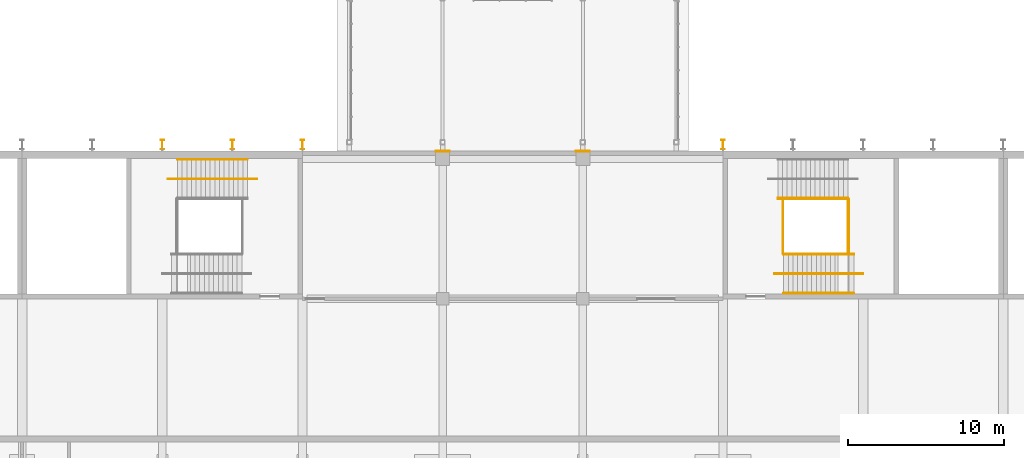
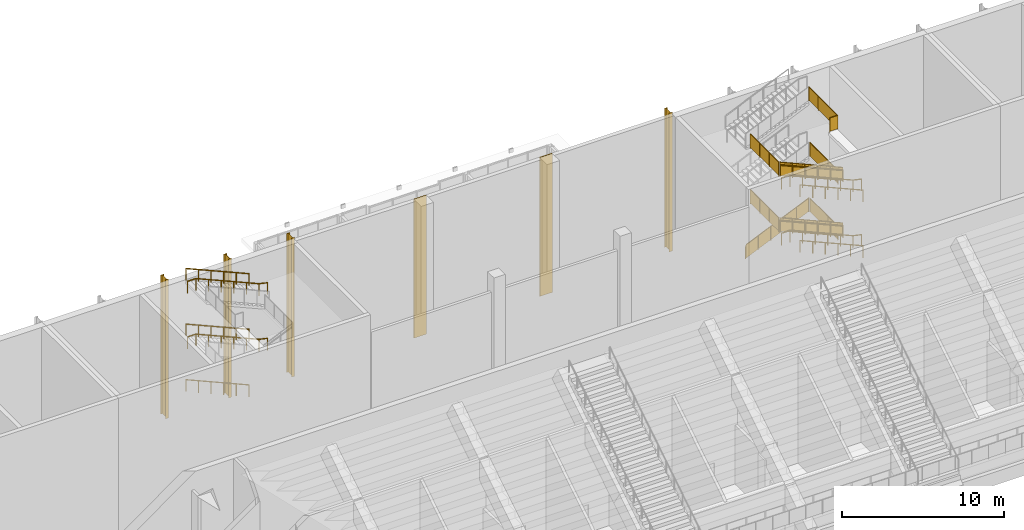
# One storey, part 173 of 182: 20 railings, 4 shading devices, 2 coverings.
"""IFC4 building model written with IfcOpenShell, lengths in metres."""

from ifc_helpers import new_model, si_unit, direction, frame, origin, origin_2d, place, context, subcontext, project, spatial, polyline, circle, i_section, outline, extrude, material, layer, layer_set, material_profile, profile_set, type_object, element, save


model = new_model("IFC4")

# Units and contexts
model_context = context("Model", 3, precision=1e-05, world=origin(), true_north=direction((0.0, 1.0)))
body_context = subcontext(model_context, "Body", "Model", "MODEL_VIEW")
ifc_project = project(units=[si_unit("LENGTHUNIT", "METRE"), si_unit("AREAUNIT", "SQUARE_METRE"), si_unit("VOLUMEUNIT", "CUBIC_METRE"), si_unit("PLANEANGLEUNIT", "RADIAN"), si_unit("MASSUNIT", "GRAM", prefix="KILO")], contexts=[model_context])

# Site, building, storey
site_placement = place(None, origin())
site = spatial("IfcSite", under=ifc_project, at=site_placement, CompositionType="ELEMENT")
building_placement = place(site_placement, origin())
building = spatial("IfcBuilding", under=site, at=building_placement, Name="Silverbay Arena", CompositionType="ELEMENT")
storey_placement = place(building_placement, frame((0.0, 0.0, 11.5)))
storey = spatial("IfcBuildingStorey", under=building, at=storey_placement, Name="L02", CompositionType="ELEMENT", Elevation=11.5)

# Coverings
ifc_material_1 = material(Name="Aluminium composite cladding", Category="aluminium")
ifc_layer = layer(ifc_material_1, 0.050048828125)
ifc_layer_set = layer_set([ifc_layer], Name="Aluminium composite cladding")
covering_type = type_object("IfcCoveringType", Name="Column cladding 50", PredefinedType="CLADDING", material=ifc_layer_set)
covering_1_placement = place(storey_placement, origin())
element("IfcCovering", 1, at=covering_1_placement, inside=storey, type_object=covering_type, Name="North column cladding L02 2", PredefinedType="CLADDING", context=body_context, shape_type="SweptSolid", body=[
    extrude(outline(polyline([(125.550048828125, 144.449951171875), (126.449951171875, 144.449951171875), (126.449951171875, 144.5), (125.550048828125, 144.5), (125.550048828125, 144.449951171875)])), origin(), (0.0, 0.0, 1.0), 10.5),
])
covering_2_placement = place(storey_placement, origin())
element("IfcCovering", 2, at=covering_2_placement, inside=storey, type_object=covering_type, Name="North column cladding L02 4", PredefinedType="CLADDING", context=body_context, shape_type="SweptSolid", body=[
    extrude(outline(polyline([(134.550048828125, 144.449951171875), (135.449951171875, 144.449951171875), (135.449951171875, 144.5), (134.550048828125, 144.5), (134.550048828125, 144.449951171875)])), origin(), (0.0, 0.0, 1.0), 10.5),
])

# Railings
ifc_material_2 = material(Name="Stainless steel", Category="steel")
railing_type_1 = type_object("IfcRailingType", Name="Stair guard 1100", PredefinedType="GUARDRAIL", material=ifc_material_2)
railing_1_placement = place(storey_placement, frame((147.52587890625, 141.425048828125, 0.13134765625)))
element("IfcRailing", 3, at=railing_1_placement, inside=storey, type_object=railing_type_1, Name="Stair ST-N3 L02 to L03 flight 1 guard left", PredefinedType="GUARDRAIL", context=body_context, shape_type="SweptSolid", body=[
    extrude(circle(Radius=0.02392578125, at=origin_2d()), frame((0.0, 0.0, 1.076171875), z_axis=(0.916157334902, 0.0, 0.40081883402), x_axis=(0.0, 1.0, 0.0)), (0.0, 0.0, 1.0), 4.911865234375),
    extrude(outline(polyline([(-0.008056640625, 0.04638671875), (0.907958984375, 0.447265625), (0.907958984375, 1.4501953125), (-0.008056640625, 1.049560546875), (-0.008056640625, 0.04638671875)])), frame((0.0, 0.0029296875, 0.0), z_axis=(0.0, -1.0, 0.0), x_axis=(1.0, 0.0, 0.0)), (0.0, 0.0, 1.0), 0.006103515625),
    extrude(outline(polyline([(-0.008056640625, 0.440185546875), (0.907958984375, 0.841064453125), (0.907958984375, 1.843994140625), (-0.008056640625, 1.443359375), (-0.008056640625, 0.440185546875)])), frame((0.89990234375, 0.0029296875, 0.0), z_axis=(0.0, -1.0, 0.0), x_axis=(1.0, 0.0, 0.0)), (0.0, 0.0, 1.0), 0.006103515625),
    extrude(outline(polyline([(-0.008056640625, 0.833984375), (0.907958984375, 1.23486328125), (0.907958984375, 2.23779296875), (-0.008056640625, 1.8369140625), (-0.008056640625, 0.833984375)])), frame((1.800048828125, 0.0029296875, 0.0), z_axis=(0.0, -1.0, 0.0), x_axis=(1.0, 0.0, 0.0)), (0.0, 0.0, 1.0), 0.006103515625),
    extrude(outline(polyline([(-0.008056640625, 1.227783203125), (0.907958984375, 1.62841796875), (0.907958984375, 2.631591796875), (-0.008056640625, 2.230712890625), (-0.008056640625, 1.227783203125)])), frame((2.699951171875, 0.0029296875, 0.0), z_axis=(0.0, -1.0, 0.0), x_axis=(1.0, 0.0, 0.0)), (0.0, 0.0, 1.0), 0.006103515625),
    extrude(outline(polyline([(-0.008056640625, 1.62158203125), (0.907958984375, 2.022216796875), (0.907958984375, 3.025146484375), (-0.008056640625, 2.62451171875), (-0.008056640625, 1.62158203125)])), frame((3.60009765625, 0.0029296875, 0.0), z_axis=(0.0, -1.0, 0.0), x_axis=(1.0, 0.0, 0.0)), (0.0, 0.0, 1.0), 0.006103515625),
    extrude(circle(Radius=0.02099609375, at=origin_2d()), origin(), (0.0, 0.0, 1.0), 1.052001953125),
    extrude(circle(Radius=0.02099609375, at=origin_2d()), frame((0.89990234375, 0.0, 0.393798828125)), (0.0, 0.0, 1.0), 1.052001953125),
    extrude(circle(Radius=0.02099609375, at=origin_2d()), frame((1.800048828125, 0.0, 0.78759765625)), (0.0, 0.0, 1.0), 1.052001953125),
    extrude(circle(Radius=0.02099609375, at=origin_2d()), frame((2.699951171875, 0.0, 1.18115234375)), (0.0, 0.0, 1.0), 1.052001953125),
    extrude(circle(Radius=0.02099609375, at=origin_2d()), frame((3.60009765625, 0.0, 1.574951171875)), (0.0, 0.0, 1.0), 1.052001953125),
    extrude(circle(Radius=0.02099609375, at=origin_2d()), frame((4.5, 0.0, 1.96875)), (0.0, 0.0, 1.0), 1.052001953125),
])
railing_2_placement = place(storey_placement, frame((152.39990234375, 137.875, 2.231201171875)))
element("IfcRailing", 4, at=railing_2_placement, inside=storey, type_object=railing_type_1, Name="Stair ST-N3 L02 to L03 flight 2 guard right", PredefinedType="GUARDRAIL", context=body_context, shape_type="SweptSolid", body=[
    extrude(circle(Radius=0.02392578125, at=origin_2d()), frame((0.0, 0.0, 1.076171875), z_axis=(-0.916157334902, 0.0, 0.40081883402), x_axis=(0.0, -1.0, 0.0)), (0.0, 0.0, 1.0), 4.911865234375),
    extrude(outline(polyline([(-0.008056640625, 0.04638671875), (0.907958984375, 0.447265625), (0.907958984375, 1.4501953125), (-0.008056640625, 1.049560546875), (-0.008056640625, 0.04638671875)])), frame((0.0, -0.0029296875, 0.0), z_axis=(0.0, 1.0, 0.0), x_axis=(-1.0, 0.0, 0.0)), (0.0, 0.0, 1.0), 0.006103515625),
    extrude(outline(polyline([(-0.008056640625, 0.440185546875), (0.907958984375, 0.841064453125), (0.907958984375, 1.843994140625), (-0.008056640625, 1.443359375), (-0.008056640625, 0.440185546875)])), frame((-0.89990234375, -0.0029296875, 0.0), z_axis=(0.0, 1.0, 0.0), x_axis=(-1.0, 0.0, 0.0)), (0.0, 0.0, 1.0), 0.006103515625),
    extrude(outline(polyline([(-0.008056640625, 0.833984375), (0.907958984375, 1.23486328125), (0.907958984375, 2.23779296875), (-0.008056640625, 1.8369140625), (-0.008056640625, 0.833984375)])), frame((-1.800048828125, -0.0029296875, 0.0), z_axis=(0.0, 1.0, 0.0), x_axis=(-1.0, 0.0, 0.0)), (0.0, 0.0, 1.0), 0.006103515625),
    extrude(outline(polyline([(-0.008056640625, 1.227783203125), (0.907958984375, 1.62841796875), (0.907958984375, 2.631591796875), (-0.008056640625, 2.230712890625), (-0.008056640625, 1.227783203125)])), frame((-2.699951171875, -0.0029296875, 0.0), z_axis=(0.0, 1.0, 0.0), x_axis=(-1.0, 0.0, 0.0)), (0.0, 0.0, 1.0), 0.006103515625),
    extrude(outline(polyline([(-0.008056640625, 1.62158203125), (0.907958984375, 2.022216796875), (0.907958984375, 3.025146484375), (-0.008056640625, 2.62451171875), (-0.008056640625, 1.62158203125)])), frame((-3.60009765625, -0.0029296875, 0.0), z_axis=(0.0, 1.0, 0.0), x_axis=(-1.0, 0.0, 0.0)), (0.0, 0.0, 1.0), 0.006103515625),
    extrude(circle(Radius=0.02099609375, at=origin_2d()), origin(), (0.0, 0.0, 1.0), 1.052001953125),
    extrude(circle(Radius=0.02099609375, at=origin_2d()), frame((-0.89990234375, 0.0, 0.393798828125)), (0.0, 0.0, 1.0), 1.052001953125),
    extrude(circle(Radius=0.02099609375, at=origin_2d()), frame((-1.800048828125, 0.0, 0.78759765625)), (0.0, 0.0, 1.0), 1.052001953125),
    extrude(circle(Radius=0.02099609375, at=origin_2d()), frame((-2.699951171875, 0.0, 1.18115234375)), (0.0, 0.0, 1.0), 1.052001953125),
    extrude(circle(Radius=0.02099609375, at=origin_2d()), frame((-3.60009765625, 0.0, 1.574951171875)), (0.0, 0.0, 1.0), 1.052001953125),
    extrude(circle(Radius=0.02099609375, at=origin_2d()), frame((-4.5, 0.0, 1.96875)), (0.0, 0.0, 1.0), 1.052001953125),
])
railing_3_placement = place(storey_placement, frame((152.39990234375, 137.875, 6.43115234375)))
element("IfcRailing", 5, at=railing_3_placement, inside=storey, type_object=railing_type_1, Name="Stair ST-N3 L02 to L03 flight 4 guard right", PredefinedType="GUARDRAIL", context=body_context, shape_type="SweptSolid", body=[
    extrude(circle(Radius=0.02392578125, at=origin_2d()), frame((0.0, 0.0, 1.076171875), z_axis=(-0.916157334902, 0.0, 0.40081883402), x_axis=(0.0, -1.0, 0.0)), (0.0, 0.0, 1.0), 4.911865234375),
    extrude(outline(polyline([(-0.008056640625, 0.04638671875), (0.907958984375, 0.447265625), (0.907958984375, 1.4501953125), (-0.008056640625, 1.049560546875), (-0.008056640625, 0.04638671875)])), frame((0.0, -0.0029296875, 0.0), z_axis=(0.0, 1.0, 0.0), x_axis=(-1.0, 0.0, 0.0)), (0.0, 0.0, 1.0), 0.006103515625),
    extrude(outline(polyline([(-0.008056640625, 0.440185546875), (0.907958984375, 0.841064453125), (0.907958984375, 1.843994140625), (-0.008056640625, 1.443359375), (-0.008056640625, 0.440185546875)])), frame((-0.89990234375, -0.0029296875, 0.0), z_axis=(0.0, 1.0, 0.0), x_axis=(-1.0, 0.0, 0.0)), (0.0, 0.0, 1.0), 0.006103515625),
    extrude(outline(polyline([(-0.008056640625, 0.833984375), (0.907958984375, 1.23486328125), (0.907958984375, 2.23779296875), (-0.008056640625, 1.8369140625), (-0.008056640625, 0.833984375)])), frame((-1.800048828125, -0.0029296875, 0.0), z_axis=(0.0, 1.0, 0.0), x_axis=(-1.0, 0.0, 0.0)), (0.0, 0.0, 1.0), 0.006103515625),
    extrude(outline(polyline([(-0.008056640625, 1.227783203125), (0.907958984375, 1.62841796875), (0.907958984375, 2.631591796875), (-0.008056640625, 2.230712890625), (-0.008056640625, 1.227783203125)])), frame((-2.699951171875, -0.0029296875, 0.0), z_axis=(0.0, 1.0, 0.0), x_axis=(-1.0, 0.0, 0.0)), (0.0, 0.0, 1.0), 0.006103515625),
    extrude(outline(polyline([(-0.008056640625, 1.62158203125), (0.907958984375, 2.022216796875), (0.907958984375, 3.025146484375), (-0.008056640625, 2.62451171875), (-0.008056640625, 1.62158203125)])), frame((-3.60009765625, -0.0029296875, 0.0), z_axis=(0.0, 1.0, 0.0), x_axis=(-1.0, 0.0, 0.0)), (0.0, 0.0, 1.0), 0.006103515625),
    extrude(circle(Radius=0.02099609375, at=origin_2d()), origin(), (0.0, 0.0, 1.0), 1.052001953125),
    extrude(circle(Radius=0.02099609375, at=origin_2d()), frame((-0.89990234375, 0.0, 0.393798828125)), (0.0, 0.0, 1.0), 1.052001953125),
    extrude(circle(Radius=0.02099609375, at=origin_2d()), frame((-1.800048828125, 0.0, 0.78759765625)), (0.0, 0.0, 1.0), 1.052001953125),
    extrude(circle(Radius=0.02099609375, at=origin_2d()), frame((-2.699951171875, 0.0, 1.18115234375)), (0.0, 0.0, 1.0), 1.052001953125),
    extrude(circle(Radius=0.02099609375, at=origin_2d()), frame((-3.60009765625, 0.0, 1.574951171875)), (0.0, 0.0, 1.0), 1.052001953125),
    extrude(circle(Radius=0.02099609375, at=origin_2d()), frame((-4.5, 0.0, 1.96875)), (0.0, 0.0, 1.0), 1.052001953125),
])
for number, where, name in (
    (6, (152.07568359375, 137.89990234375, 2.10009765625), "Stair ST-N3 L02 to L03 landing 1 guard"),
    (7, (147.85009765625, 137.89990234375, 4.199951171875), "Stair ST-N3 L02 to L03 landing 2 guard"),
    (8, (152.07568359375, 137.89990234375, 6.300048828125), "Stair ST-N3 L02 to L03 landing 3 guard"),
    (9, (147.85009765625, 137.89990234375, 8.39990234375), "Stair ST-N3 L02 to L03 landing 4 guard"),
):
    element("IfcRailing", number, at=place(storey_placement, frame(where)), inside=storey, type_object=railing_type_1, Name=name, PredefinedType="GUARDRAIL", context=body_context, shape_type="SweptSolid", body=[
        extrude(circle(Radius=0.02392578125, at=origin_2d()), frame((0.0, 0.0, 1.076171875), z_axis=(0.0, 1.0, 0.0), x_axis=(-1.0, 0.0, 0.0)), (0.0, 0.0, 1.0), 3.5),
        extrude(outline(polyline([(-0.008056640625, 0.050048828125), (1.174560546875, 0.050048828125), (1.174560546875, 1.052978515625), (-0.008056640625, 1.052978515625), (-0.008056640625, 0.050048828125)])), frame((-0.0029296875, 0.0, 0.0), z_axis=(1.0, 0.0, 0.0), x_axis=(0.0, 1.0, 0.0)), (0.0, 0.0, 1.0), 0.006103515625),
        extrude(outline(polyline([(-0.008056640625, 0.050048828125), (1.174560546875, 0.050048828125), (1.174560546875, 1.052978515625), (-0.008056640625, 1.052978515625), (-0.008056640625, 0.050048828125)])), frame((-0.0029296875, 1.166748046875, 0.0), z_axis=(1.0, 0.0, 0.0), x_axis=(0.0, 1.0, 0.0)), (0.0, 0.0, 1.0), 0.006103515625),
        extrude(outline(polyline([(-0.008056640625, 0.050048828125), (1.174560546875, 0.050048828125), (1.174560546875, 1.052978515625), (-0.008056640625, 1.052978515625), (-0.008056640625, 0.050048828125)])), frame((-0.0029296875, 2.333251953125, 0.0), z_axis=(1.0, 0.0, 0.0), x_axis=(0.0, 1.0, 0.0)), (0.0, 0.0, 1.0), 0.006103515625),
        extrude(circle(Radius=0.02099609375, at=origin_2d()), origin(), (0.0, 0.0, 1.0), 1.052001953125),
        extrude(circle(Radius=0.02099609375, at=origin_2d()), frame((0.0, 1.166748046875, 0.0)), (0.0, 0.0, 1.0), 1.052001953125),
        extrude(circle(Radius=0.02099609375, at=origin_2d()), frame((0.0, 2.333251953125, 0.0)), (0.0, 0.0, 1.0), 1.052001953125),
        extrude(circle(Radius=0.02099609375, at=origin_2d()), frame((0.0, 3.5, 0.0)), (0.0, 0.0, 1.0), 1.052001953125),
    ])
railing_4_placement = place(storey_placement, frame((151.449951171875, 137.85009765625, 10.5)))
element("IfcRailing", 10, at=railing_4_placement, inside=storey, type_object=railing_type_1, Name="Stair ST-N3 L02 to L03 landing 5 guard", PredefinedType="GUARDRAIL", context=body_context, shape_type="SweptSolid", body=[
    extrude(circle(Radius=0.02392578125, at=origin_2d()), frame((0.0, 0.0, 1.076171875), z_axis=(1.0, 0.0, 0.0), x_axis=(0.0, 1.0, 0.0)), (0.0, 0.0, 1.0), 0.575927734375),
    extrude(outline(polyline([(-0.008056640625, 0.050048828125), (0.583984375, 0.050048828125), (0.583984375, 1.052978515625), (-0.008056640625, 1.052978515625), (-0.008056640625, 0.050048828125)])), frame((0.0, 0.0029296875, 0.0), z_axis=(0.0, -1.0, 0.0), x_axis=(1.0, 0.0, 0.0)), (0.0, 0.0, 1.0), 0.006103515625),
    extrude(circle(Radius=0.02392578125, at=origin_2d()), frame((0.575927734375, 0.0, 1.076171875), z_axis=(0.0, 1.0, 0.0), x_axis=(-1.0, 0.0, 0.0)), (0.0, 0.0, 1.0), 3.5498046875),
    extrude(outline(polyline([(-0.008056640625, 0.050048828125), (1.191162109375, 0.050048828125), (1.191162109375, 1.052978515625), (-0.008056640625, 1.052978515625), (-0.008056640625, 0.050048828125)])), frame((0.572998046875, 0.0, 0.0), z_axis=(1.0, 0.0, 0.0), x_axis=(0.0, 1.0, 0.0)), (0.0, 0.0, 1.0), 0.006103515625),
    extrude(outline(polyline([(-0.008056640625, 0.050048828125), (1.191162109375, 0.050048828125), (1.191162109375, 1.052978515625), (-0.008056640625, 1.052978515625), (-0.008056640625, 0.050048828125)])), frame((0.572998046875, 1.183349609375, 0.0), z_axis=(1.0, 0.0, 0.0), x_axis=(0.0, 1.0, 0.0)), (0.0, 0.0, 1.0), 0.006103515625),
    extrude(outline(polyline([(-0.008056640625, 0.050048828125), (1.191162109375, 0.050048828125), (1.191162109375, 1.052978515625), (-0.008056640625, 1.052978515625), (-0.008056640625, 0.050048828125)])), frame((0.572998046875, 2.366455078125, 0.0), z_axis=(1.0, 0.0, 0.0), x_axis=(0.0, 1.0, 0.0)), (0.0, 0.0, 1.0), 0.006103515625),
    extrude(circle(Radius=0.02099609375, at=origin_2d()), origin(), (0.0, 0.0, 1.0), 1.052001953125),
    extrude(circle(Radius=0.02099609375, at=origin_2d()), frame((0.575927734375, 0.0, 0.0)), (0.0, 0.0, 1.0), 1.052001953125),
    extrude(circle(Radius=0.02099609375, at=origin_2d()), frame((0.575927734375, 1.183349609375, 0.0)), (0.0, 0.0, 1.0), 1.052001953125),
    extrude(circle(Radius=0.02099609375, at=origin_2d()), frame((0.575927734375, 2.366455078125, 0.0)), (0.0, 0.0, 1.0), 1.052001953125),
    extrude(circle(Radius=0.02099609375, at=origin_2d()), frame((0.575927734375, 3.5498046875, 0.0)), (0.0, 0.0, 1.0), 1.052001953125),
])
ifc_material_3 = material(Name="Stainless steel", Category="steel")
railing_type_2 = type_object("IfcRailingType", Name="Stair handrail 900", PredefinedType="HANDRAIL", material=ifc_material_3)
for number, where, name in (
    (11, (113.47412109375, 143.949951171875, 0.13134765625), "Stair ST-N2 L02 to L03 flight 1 handrail right"),
    (12, (113.47412109375, 143.949951171875, 4.331298828125), "Stair ST-N2 L02 to L03 flight 3 handrail right"),
):
    element("IfcRailing", number, at=place(storey_placement, frame(where)), inside=storey, type_object=railing_type_2, Name=name, PredefinedType="HANDRAIL", context=body_context, shape_type="SweptSolid", body=[
        extrude(circle(Radius=0.02392578125, at=origin_2d()), frame((0.0, 0.0, 0.8759765625), z_axis=(-0.916157334902, 0.0, 0.40081883402), x_axis=(0.0, -1.0, 0.0)), (0.0, 0.0, 1.0), 4.911865234375),
        extrude(circle(Radius=0.02099609375, at=origin_2d()), origin(), (0.0, 0.0, 1.0), 0.851806640625),
        extrude(circle(Radius=0.02099609375, at=origin_2d()), frame((-0.89990234375, 0.0, 0.393798828125)), (0.0, 0.0, 1.0), 0.851806640625),
        extrude(circle(Radius=0.02099609375, at=origin_2d()), frame((-1.800048828125, 0.0, 0.78759765625)), (0.0, 0.0, 1.0), 0.851806640625),
        extrude(circle(Radius=0.02099609375, at=origin_2d()), frame((-2.699951171875, 0.0, 1.18115234375)), (0.0, 0.0, 1.0), 0.851806640625),
        extrude(circle(Radius=0.02099609375, at=origin_2d()), frame((-3.60009765625, 0.0, 1.574951171875)), (0.0, 0.0, 1.0), 0.851806640625),
        extrude(circle(Radius=0.02099609375, at=origin_2d()), frame((-4.5, 0.0, 1.96875)), (0.0, 0.0, 1.0), 0.851806640625),
    ])
railing_5_placement = place(storey_placement, frame((114.07421875, 142.699951171875, 4.199951171875)))
element("IfcRailing", 13, at=railing_5_placement, inside=storey, type_object=railing_type_2, Name="Stair ST-N2 L02 to L03 flight 3 central handrail", PredefinedType="HANDRAIL", context=body_context, shape_type="SweptSolid", body=[
    extrude(circle(Radius=0.02392578125, at=origin_2d()), frame((0.0, 0.0, 0.8759765625), z_axis=(-0.976874083041, 0.0, 0.213815401414), x_axis=(0.0, -1.0, 0.0)), (0.0, 0.0, 1.0), 0.6142578125),
    extrude(circle(Radius=0.02392578125, at=origin_2d()), frame((-0.60009765625, 0.0, 1.00732421875), z_axis=(-0.916157334902, 0.0, 0.40081883402), x_axis=(0.0, -1.0, 0.0)), (0.0, 0.0, 1.0), 4.911865234375),
    extrude(circle(Radius=0.02392578125, at=origin_2d()), frame((-5.10009765625, 0.0, 2.97607421875), z_axis=(-1.0, 0.0, 0.0), x_axis=(0.0, -1.0, 0.0)), (0.0, 0.0, 1.0), 0.599853515625),
    extrude(circle(Radius=0.02099609375, at=origin_2d()), origin(), (0.0, 0.0, 1.0), 0.851806640625),
    extrude(circle(Radius=0.02099609375, at=origin_2d()), frame((-0.60009765625, 0.0, 0.13134765625)), (0.0, 0.0, 1.0), 0.851806640625),
    extrude(circle(Radius=0.02099609375, at=origin_2d()), frame((-1.5, 0.0, 0.525146484375)), (0.0, 0.0, 1.0), 0.851806640625),
    extrude(circle(Radius=0.02099609375, at=origin_2d()), frame((-2.400146484375, 0.0, 0.9189453125)), (0.0, 0.0, 1.0), 0.851806640625),
    extrude(circle(Radius=0.02099609375, at=origin_2d()), frame((-3.300048828125, 0.0, 1.3125)), (0.0, 0.0, 1.0), 0.851806640625),
    extrude(circle(Radius=0.02099609375, at=origin_2d()), frame((-4.2001953125, 0.0, 1.706298828125)), (0.0, 0.0, 1.0), 0.851806640625),
    extrude(circle(Radius=0.02099609375, at=origin_2d()), frame((-5.10009765625, 0.0, 2.10009765625)), (0.0, 0.0, 1.0), 0.851806640625),
    extrude(circle(Radius=0.02099609375, at=origin_2d()), frame((-5.699951171875, 0.0, 2.10009765625)), (0.0, 0.0, 1.0), 0.851806640625),
])
railing_6_placement = place(storey_placement, frame((113.47412109375, 143.949951171875, 8.53125)))
element("IfcRailing", 14, at=railing_6_placement, inside=storey, type_object=railing_type_2, Name="Stair ST-N2 L02 to L03 flight 5 handrail right", PredefinedType="HANDRAIL", context=body_context, shape_type="SweptSolid", body=[
    extrude(circle(Radius=0.02392578125, at=origin_2d()), frame((0.0, 0.0, 0.8759765625), z_axis=(-0.916157334902, 0.0, 0.40081883402), x_axis=(0.0, -1.0, 0.0)), (0.0, 0.0, 1.0), 4.911865234375),
    extrude(circle(Radius=0.02099609375, at=origin_2d()), origin(), (0.0, 0.0, 1.0), 0.851806640625),
    extrude(circle(Radius=0.02099609375, at=origin_2d()), frame((-0.89990234375, 0.0, 0.393798828125)), (0.0, 0.0, 1.0), 0.851806640625),
    extrude(circle(Radius=0.02099609375, at=origin_2d()), frame((-1.800048828125, 0.0, 0.78759765625)), (0.0, 0.0, 1.0), 0.851806640625),
    extrude(circle(Radius=0.02099609375, at=origin_2d()), frame((-2.699951171875, 0.0, 1.18115234375)), (0.0, 0.0, 1.0), 0.851806640625),
    extrude(circle(Radius=0.02099609375, at=origin_2d()), frame((-3.60009765625, 0.0, 1.574951171875)), (0.0, 0.0, 1.0), 0.851806640625),
    extrude(circle(Radius=0.02099609375, at=origin_2d()), frame((-4.5, 0.0, 1.96875)), (0.0, 0.0, 1.0), 0.851806640625),
])
railing_7_placement = place(storey_placement, frame((114.07421875, 142.699951171875, 8.39990234375)))
element("IfcRailing", 15, at=railing_7_placement, inside=storey, type_object=railing_type_2, Name="Stair ST-N2 L02 to L03 flight 5 central handrail", PredefinedType="HANDRAIL", context=body_context, shape_type="SweptSolid", body=[
    extrude(circle(Radius=0.02392578125, at=origin_2d()), frame((0.0, 0.0, 0.8759765625), z_axis=(-0.976874083041, 0.0, 0.213815401414), x_axis=(0.0, -1.0, 0.0)), (0.0, 0.0, 1.0), 0.6142578125),
    extrude(circle(Radius=0.02392578125, at=origin_2d()), frame((-0.60009765625, 0.0, 1.00732421875), z_axis=(-0.916157334902, 0.0, 0.40081883402), x_axis=(0.0, -1.0, 0.0)), (0.0, 0.0, 1.0), 4.911865234375),
    extrude(circle(Radius=0.02392578125, at=origin_2d()), frame((-5.10009765625, 0.0, 2.97607421875), z_axis=(-1.0, 0.0, 0.0), x_axis=(0.0, -1.0, 0.0)), (0.0, 0.0, 1.0), 0.599853515625),
    extrude(circle(Radius=0.02099609375, at=origin_2d()), origin(), (0.0, 0.0, 1.0), 0.851806640625),
    extrude(circle(Radius=0.02099609375, at=origin_2d()), frame((-0.60009765625, 0.0, 0.13134765625)), (0.0, 0.0, 1.0), 0.851806640625),
    extrude(circle(Radius=0.02099609375, at=origin_2d()), frame((-1.5, 0.0, 0.525146484375)), (0.0, 0.0, 1.0), 0.851806640625),
    extrude(circle(Radius=0.02099609375, at=origin_2d()), frame((-2.400146484375, 0.0, 0.9189453125)), (0.0, 0.0, 1.0), 0.851806640625),
    extrude(circle(Radius=0.02099609375, at=origin_2d()), frame((-3.300048828125, 0.0, 1.3125)), (0.0, 0.0, 1.0), 0.851806640625),
    extrude(circle(Radius=0.02099609375, at=origin_2d()), frame((-4.2001953125, 0.0, 1.706298828125)), (0.0, 0.0, 1.0), 0.851806640625),
    extrude(circle(Radius=0.02099609375, at=origin_2d()), frame((-5.10009765625, 0.0, 2.10009765625)), (0.0, 0.0, 1.0), 0.851806640625),
    extrude(circle(Radius=0.02099609375, at=origin_2d()), frame((-5.699951171875, 0.0, 2.10009765625)), (0.0, 0.0, 1.0), 0.851806640625),
])
railing_8_placement = place(storey_placement, frame((147.52587890625, 141.464111328125, 0.13134765625)))
element("IfcRailing", 16, at=railing_8_placement, inside=storey, type_object=railing_type_2, Name="Stair ST-N3 L02 to L03 flight 1 handrail left", PredefinedType="HANDRAIL", context=body_context, shape_type="SweptSolid", body=[
    extrude(circle(Radius=0.02392578125, at=origin_2d()), frame((0.0, 0.0, 0.8759765625), z_axis=(0.916157334902, 0.0, 0.40081883402), x_axis=(0.0, 1.0, 0.0)), (0.0, 0.0, 1.0), 4.911865234375),
    extrude(circle(Radius=0.02099609375, at=origin_2d()), origin(), (0.0, 0.0, 1.0), 0.851806640625),
    extrude(circle(Radius=0.02099609375, at=origin_2d()), frame((0.89990234375, 0.0, 0.393798828125)), (0.0, 0.0, 1.0), 0.851806640625),
    extrude(circle(Radius=0.02099609375, at=origin_2d()), frame((1.800048828125, 0.0, 0.78759765625)), (0.0, 0.0, 1.0), 0.851806640625),
    extrude(circle(Radius=0.02099609375, at=origin_2d()), frame((2.699951171875, 0.0, 1.18115234375)), (0.0, 0.0, 1.0), 0.851806640625),
    extrude(circle(Radius=0.02099609375, at=origin_2d()), frame((3.60009765625, 0.0, 1.574951171875)), (0.0, 0.0, 1.0), 0.851806640625),
    extrude(circle(Radius=0.02099609375, at=origin_2d()), frame((4.5, 0.0, 1.96875)), (0.0, 0.0, 1.0), 0.851806640625),
])
for number, where, name in (
    (17, (152.39990234375, 135.35009765625, 2.231201171875), "Stair ST-N3 L02 to L03 flight 2 handrail left"),
    (18, (152.39990234375, 137.8359375, 2.231201171875), "Stair ST-N3 L02 to L03 flight 2 handrail right"),
):
    element("IfcRailing", number, at=place(storey_placement, frame(where)), inside=storey, type_object=railing_type_2, Name=name, PredefinedType="HANDRAIL", context=body_context, shape_type="SweptSolid", body=[
        extrude(circle(Radius=0.02392578125, at=origin_2d()), frame((0.0, 0.0, 0.8759765625), z_axis=(-0.916157334902, 0.0, 0.40081883402), x_axis=(0.0, -1.0, 0.0)), (0.0, 0.0, 1.0), 4.911865234375),
        extrude(circle(Radius=0.02099609375, at=origin_2d()), origin(), (0.0, 0.0, 1.0), 0.851806640625),
        extrude(circle(Radius=0.02099609375, at=origin_2d()), frame((-0.89990234375, 0.0, 0.393798828125)), (0.0, 0.0, 1.0), 0.851806640625),
        extrude(circle(Radius=0.02099609375, at=origin_2d()), frame((-1.800048828125, 0.0, 0.78759765625)), (0.0, 0.0, 1.0), 0.851806640625),
        extrude(circle(Radius=0.02099609375, at=origin_2d()), frame((-2.699951171875, 0.0, 1.18115234375)), (0.0, 0.0, 1.0), 0.851806640625),
        extrude(circle(Radius=0.02099609375, at=origin_2d()), frame((-3.60009765625, 0.0, 1.574951171875)), (0.0, 0.0, 1.0), 0.851806640625),
        extrude(circle(Radius=0.02099609375, at=origin_2d()), frame((-4.5, 0.0, 1.96875)), (0.0, 0.0, 1.0), 0.851806640625),
    ])
railing_9_placement = place(storey_placement, frame((153.0, 136.60009765625, 2.10009765625)))
element("IfcRailing", 19, at=railing_9_placement, inside=storey, type_object=railing_type_2, Name="Stair ST-N3 L02 to L03 flight 2 central handrail", PredefinedType="HANDRAIL", context=body_context, shape_type="SweptSolid", body=[
    extrude(circle(Radius=0.02392578125, at=origin_2d()), frame((0.0, 0.0, 0.8759765625), z_axis=(-0.976957027196, 0.0, 0.213436095852), x_axis=(0.0, -1.0, 0.0)), (0.0, 0.0, 1.0), 0.6142578125),
    extrude(circle(Radius=0.02392578125, at=origin_2d()), frame((-0.60009765625, 0.0, 1.0068359375), z_axis=(-0.916157334902, 0.0, 0.40081883402), x_axis=(0.0, -1.0, 0.0)), (0.0, 0.0, 1.0), 4.911865234375),
    extrude(circle(Radius=0.02392578125, at=origin_2d()), frame((-5.10009765625, 0.0, 2.9755859375), z_axis=(-1.0, 0.0, 0.0), x_axis=(0.0, -1.0, 0.0)), (0.0, 0.0, 1.0), 0.599853515625),
    extrude(circle(Radius=0.02099609375, at=origin_2d()), origin(), (0.0, 0.0, 1.0), 0.851806640625),
    extrude(circle(Radius=0.02099609375, at=origin_2d()), frame((-0.60009765625, 0.0, 0.131103515625)), (0.0, 0.0, 1.0), 0.851806640625),
    extrude(circle(Radius=0.02099609375, at=origin_2d()), frame((-1.5, 0.0, 0.52490234375)), (0.0, 0.0, 1.0), 0.851806640625),
    extrude(circle(Radius=0.02099609375, at=origin_2d()), frame((-2.400146484375, 0.0, 0.918701171875)), (0.0, 0.0, 1.0), 0.851806640625),
    extrude(circle(Radius=0.02099609375, at=origin_2d()), frame((-3.300048828125, 0.0, 1.312255859375)), (0.0, 0.0, 1.0), 0.851806640625),
    extrude(circle(Radius=0.02099609375, at=origin_2d()), frame((-4.2001953125, 0.0, 1.7060546875)), (0.0, 0.0, 1.0), 0.851806640625),
    extrude(circle(Radius=0.02099609375, at=origin_2d()), frame((-5.10009765625, 0.0, 2.099853515625)), (0.0, 0.0, 1.0), 0.851806640625),
    extrude(circle(Radius=0.02099609375, at=origin_2d()), frame((-5.699951171875, 0.0, 2.099853515625)), (0.0, 0.0, 1.0), 0.851806640625),
])
for number, where, name in (
    (20, (152.39990234375, 135.35009765625, 6.43115234375), "Stair ST-N3 L02 to L03 flight 4 handrail left"),
    (21, (152.39990234375, 137.8359375, 6.43115234375), "Stair ST-N3 L02 to L03 flight 4 handrail right"),
):
    element("IfcRailing", number, at=place(storey_placement, frame(where)), inside=storey, type_object=railing_type_2, Name=name, PredefinedType="HANDRAIL", context=body_context, shape_type="SweptSolid", body=[
        extrude(circle(Radius=0.02392578125, at=origin_2d()), frame((0.0, 0.0, 0.8759765625), z_axis=(-0.916157334902, 0.0, 0.40081883402), x_axis=(0.0, -1.0, 0.0)), (0.0, 0.0, 1.0), 4.911865234375),
        extrude(circle(Radius=0.02099609375, at=origin_2d()), origin(), (0.0, 0.0, 1.0), 0.851806640625),
        extrude(circle(Radius=0.02099609375, at=origin_2d()), frame((-0.89990234375, 0.0, 0.393798828125)), (0.0, 0.0, 1.0), 0.851806640625),
        extrude(circle(Radius=0.02099609375, at=origin_2d()), frame((-1.800048828125, 0.0, 0.78759765625)), (0.0, 0.0, 1.0), 0.851806640625),
        extrude(circle(Radius=0.02099609375, at=origin_2d()), frame((-2.699951171875, 0.0, 1.18115234375)), (0.0, 0.0, 1.0), 0.851806640625),
        extrude(circle(Radius=0.02099609375, at=origin_2d()), frame((-3.60009765625, 0.0, 1.574951171875)), (0.0, 0.0, 1.0), 0.851806640625),
        extrude(circle(Radius=0.02099609375, at=origin_2d()), frame((-4.5, 0.0, 1.96875)), (0.0, 0.0, 1.0), 0.851806640625),
    ])
railing_10_placement = place(storey_placement, frame((153.0, 136.60009765625, 6.300048828125)))
element("IfcRailing", 22, at=railing_10_placement, inside=storey, type_object=railing_type_2, Name="Stair ST-N3 L02 to L03 flight 4 central handrail", PredefinedType="HANDRAIL", context=body_context, shape_type="SweptSolid", body=[
    extrude(circle(Radius=0.02392578125, at=origin_2d()), frame((0.0, 0.0, 0.8759765625), z_axis=(-0.976957027196, 0.0, 0.213436095852), x_axis=(0.0, -1.0, 0.0)), (0.0, 0.0, 1.0), 0.6142578125),
    extrude(circle(Radius=0.02392578125, at=origin_2d()), frame((-0.60009765625, 0.0, 1.0068359375), z_axis=(-0.916157334902, 0.0, 0.40081883402), x_axis=(0.0, -1.0, 0.0)), (0.0, 0.0, 1.0), 4.911865234375),
    extrude(circle(Radius=0.02392578125, at=origin_2d()), frame((-5.10009765625, 0.0, 2.9755859375), z_axis=(-1.0, 0.0, 0.0), x_axis=(0.0, -1.0, 0.0)), (0.0, 0.0, 1.0), 0.599853515625),
    extrude(circle(Radius=0.02099609375, at=origin_2d()), origin(), (0.0, 0.0, 1.0), 0.851806640625),
    extrude(circle(Radius=0.02099609375, at=origin_2d()), frame((-0.60009765625, 0.0, 0.131103515625)), (0.0, 0.0, 1.0), 0.851806640625),
    extrude(circle(Radius=0.02099609375, at=origin_2d()), frame((-1.5, 0.0, 0.52490234375)), (0.0, 0.0, 1.0), 0.851806640625),
    extrude(circle(Radius=0.02099609375, at=origin_2d()), frame((-2.400146484375, 0.0, 0.918701171875)), (0.0, 0.0, 1.0), 0.851806640625),
    extrude(circle(Radius=0.02099609375, at=origin_2d()), frame((-3.300048828125, 0.0, 1.312255859375)), (0.0, 0.0, 1.0), 0.851806640625),
    extrude(circle(Radius=0.02099609375, at=origin_2d()), frame((-4.2001953125, 0.0, 1.7060546875)), (0.0, 0.0, 1.0), 0.851806640625),
    extrude(circle(Radius=0.02099609375, at=origin_2d()), frame((-5.10009765625, 0.0, 2.099853515625)), (0.0, 0.0, 1.0), 0.851806640625),
    extrude(circle(Radius=0.02099609375, at=origin_2d()), frame((-5.699951171875, 0.0, 2.099853515625)), (0.0, 0.0, 1.0), 0.851806640625),
])

# Shading devices
ifc_material_4 = material(Name="Steel S355", Category="steel")
ifc_material_profile = material_profile(ifc_material_4, i_section(OverallWidth=0.2275390625, OverallDepth=0.6025390625, WebThickness=0.010498046875, FlangeThickness=0.014892578125, at=origin_2d()), Name="UB 610x229x101")
ifc_profile_set = profile_set([ifc_material_profile], Name="Steel S355")
shading_device_type = type_object("IfcShadingDeviceType", Name="Steel fin UB 610x229x101", PredefinedType="USERDEFINED", material=ifc_profile_set)
for number, where, z_axis, x_axis, name in (
    (23, (108.0, 144.9013671875, 0.0), (0.0, 0.0, 1.0), (1.0, 0.0, 0.0), "Steel fin N L02 12"),
    (24, (112.5, 144.9013671875, 0.0), (0.0, 0.0, 1.0), (1.0, 0.0, 0.0), "Steel fin N L02 13"),
    (25, (117.0, 144.9013671875, 0.0), (0.0, 0.0, 1.0), (1.0, 0.0, 0.0), "Steel fin N L02 14"),
    (26, (144.0, 144.9013671875, 0.0), (0.0, 0.0, 1.0), (1.0, 0.0, 0.0), "Steel fin N L02 20"),
):
    element("IfcShadingDevice", number, at=place(storey_placement, frame(where, z_axis=z_axis, x_axis=x_axis)), inside=storey, type_object=shading_device_type, Name=name, ObjectType="FIN", PredefinedType="USERDEFINED", context=body_context, shape_type="SweptSolid", body=[
        extrude(i_section(OverallWidth=0.2275390625, OverallDepth=0.6025390625, WebThickness=0.010498046875, FlangeThickness=0.014892578125, at=origin_2d()), origin(), (0.0, 0.0, 1.0), 10.5),
    ])

save(model, "model.ifc")
